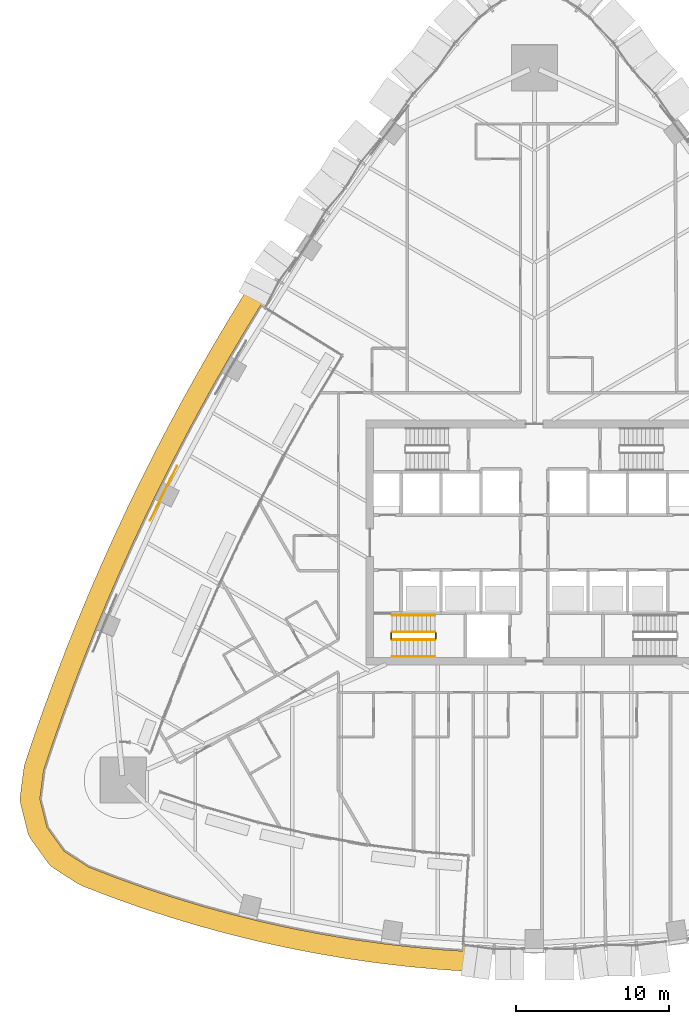
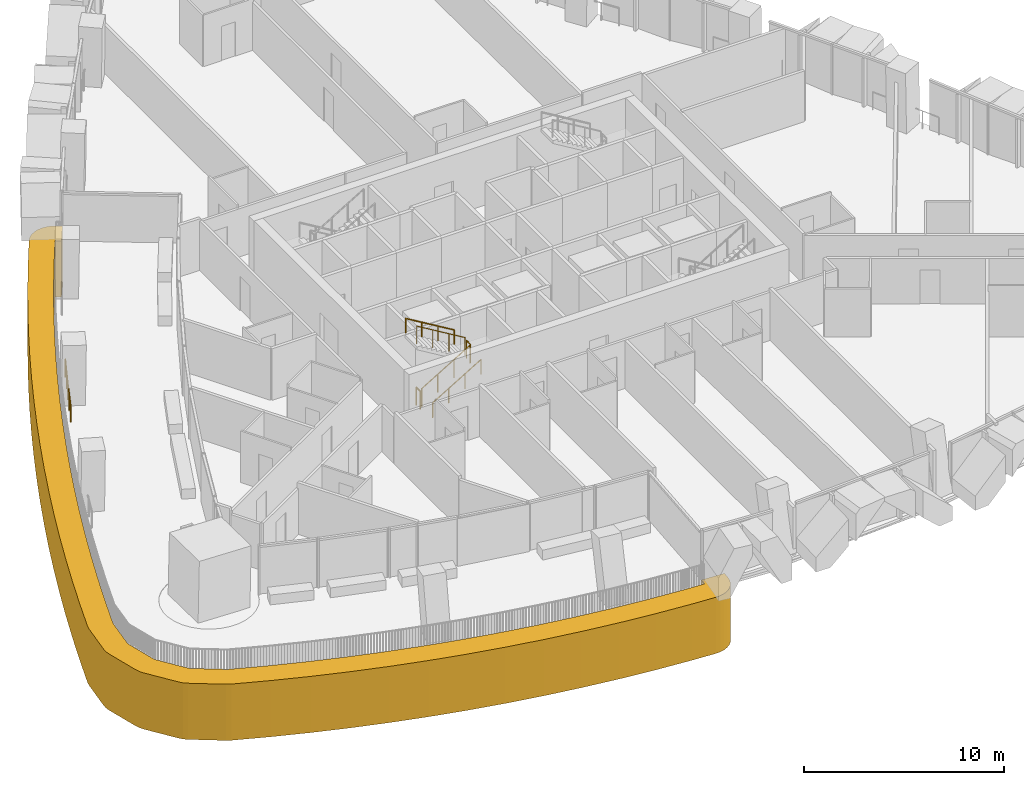
# One storey, part 20 of 24: 7 railings, 1 covering.
"""IFC4 building model written with IfcOpenShell, lengths in metres."""

from ifc_helpers import new_model, si_unit, direction, frame, origin, origin_2d, place, context, subcontext, project, spatial, polyline, circle, outline, extrude, material, layer, layer_set, type_object, element, save


model = new_model("IFC4")

# Units and contexts
model_context = context("Model", 3, precision=1e-05, world=origin(), true_north=direction((0.0, 1.0)))
body_context = subcontext(model_context, "Body", "Model", "MODEL_VIEW")
ifc_project = project(units=[si_unit("LENGTHUNIT", "METRE"), si_unit("AREAUNIT", "SQUARE_METRE"), si_unit("VOLUMEUNIT", "CUBIC_METRE"), si_unit("PLANEANGLEUNIT", "RADIAN"), si_unit("MASSUNIT", "GRAM", prefix="KILO")], contexts=[model_context])

# Site, building, storey
site_placement = place(None, origin())
site = spatial("IfcSite", under=ifc_project, at=site_placement, CompositionType="ELEMENT")
building_placement = place(site_placement, origin())
building = spatial("IfcBuilding", under=site, at=building_placement, Name="Sierra Prisma Convention Tower", CompositionType="ELEMENT")
storey_placement = place(building_placement, frame((0.0, 0.0, 59.10009765625)))
storey = spatial("IfcBuildingStorey", under=building, at=storey_placement, Name="L10", CompositionType="ELEMENT", Elevation=59.10009765625)

# Railings
ifc_material_1 = material(Name="Stainless steel", Category="steel")
railing_type_1 = type_object("IfcRailingType", Name="Exit stair handrail", PredefinedType="HANDRAIL", material=ifc_material_1)
railing_1_placement = place(storey_placement, frame((-9.300048828125, -7.449951171875, 0.16796875)))
element("IfcRailing", 1, at=railing_1_placement, inside=storey, type_object=railing_type_1, Name="L10 S1 stair handrail 1", PredefinedType="HANDRAIL", context=body_context, shape_type="SweptSolid", body=[
    extrude(circle(Radius=0.02392578125, at=origin_2d()), frame((0.0, 0.0, 0.8759765625), z_axis=(0.857242210791, 0.0, 0.514913383045), x_axis=(0.0, 1.0, 0.0)), (0.0, 0.0, 1.0), 3.266357421875),
    extrude(circle(Radius=0.02099609375, at=origin_2d()), origin(), (0.0, 0.0, 1.0), 0.851806640625),
    extrude(circle(Radius=0.02099609375, at=origin_2d()), frame((0.933349609375, 0.0, 0.560546875)), (0.0, 0.0, 1.0), 0.851806640625),
    extrude(circle(Radius=0.02099609375, at=origin_2d()), frame((1.86669921875, 0.0, 1.121337890625)), (0.0, 0.0, 1.0), 0.851806640625),
    extrude(circle(Radius=0.02099609375, at=origin_2d()), frame((2.800048828125, 0.0, 1.681884765625)), (0.0, 0.0, 1.0), 0.851806640625),
])
railing_2_placement = place(storey_placement, frame((-6.5, -4.75, 2.01806640625)))
element("IfcRailing", 2, at=railing_2_placement, inside=storey, type_object=railing_type_1, Name="L10 S1 stair handrail 2", PredefinedType="HANDRAIL", context=body_context, shape_type="SweptSolid", body=[
    extrude(circle(Radius=0.02392578125, at=origin_2d()), frame((0.0, 0.0, 0.8759765625), z_axis=(-0.857242210791, 0.0, 0.514913383045), x_axis=(0.0, -1.0, 0.0)), (0.0, 0.0, 1.0), 3.266357421875),
    extrude(circle(Radius=0.02099609375, at=origin_2d()), origin(), (0.0, 0.0, 1.0), 0.851806640625),
    extrude(circle(Radius=0.02099609375, at=origin_2d()), frame((-0.933349609375, 0.0, 0.560546875)), (0.0, 0.0, 1.0), 0.851806640625),
    extrude(circle(Radius=0.02099609375, at=origin_2d()), frame((-1.86669921875, 0.0, 1.121337890625)), (0.0, 0.0, 1.0), 0.851806640625),
    extrude(circle(Radius=0.02099609375, at=origin_2d()), frame((-2.800048828125, 0.0, 1.681884765625)), (0.0, 0.0, 1.0), 0.851806640625),
])
ifc_material_2 = material(Name="Bronze anodised aluminium", Category="aluminium")
railing_type_2 = type_object("IfcRailingType", Name="Facade guard 1100", PredefinedType="GUARDRAIL", material=ifc_material_2)
railing_3_placement = place(storey_placement, frame((-23.35009765625, 5.009521484375, 0.0)))
element("IfcRailing", 3, at=railing_3_placement, inside=storey, type_object=railing_type_2, Name="Facade guard", PredefinedType="GUARDRAIL", context=body_context, shape_type="SweptSolid", body=[
    extrude(circle(Radius=0.02392578125, at=origin_2d()), frame((0.0, 0.0, 1.076171875), z_axis=(-0.448586542605, -0.893739399262, 0.0), x_axis=(0.893739399262, -0.448586542605, 0.0)), (0.0, 0.0, 1.0), 0.995361328125),
    extrude(circle(Radius=0.02392578125, at=origin_2d()), frame((-0.446533203125, -0.8896484375, 1.076171875), z_axis=(-0.44780045775, -0.894133519134, 0.0), x_axis=(0.894133519134, -0.44780045775, 0.0)), (0.0, 0.0, 1.0), 0.998291015625),
    extrude(circle(Radius=0.02392578125, at=origin_2d()), frame((-0.8935546875, -1.7822265625, 1.076171875), z_axis=(-0.435708244697, -0.900087954315, 0.0), x_axis=(0.900087954315, -0.435708244697, 0.0)), (0.0, 0.0, 1.0), 0.996337890625),
    extrude(circle(Radius=0.02392578125, at=origin_2d()), frame((-1.32763671875, -2.678955078125, 1.076171875), z_axis=(-0.435522533746, -0.900177828321, 0.0), x_axis=(0.900177828321, -0.435522533746, 0.0)), (0.0, 0.0, 1.0), 0.997314453125),
    extrude(circle(Radius=0.02099609375, at=origin_2d()), origin(), (0.0, 0.0, 1.0), 1.052001953125),
    extrude(circle(Radius=0.02099609375, at=origin_2d()), frame((-0.446533203125, -0.8896484375, 0.0)), (0.0, 0.0, 1.0), 1.052001953125),
    extrude(circle(Radius=0.02099609375, at=origin_2d()), frame((-0.8935546875, -1.7822265625, 0.0)), (0.0, 0.0, 1.0), 1.052001953125),
    extrude(circle(Radius=0.02099609375, at=origin_2d()), frame((-1.32763671875, -2.678955078125, 0.0)), (0.0, 0.0, 1.0), 1.052001953125),
    extrude(circle(Radius=0.02099609375, at=origin_2d()), frame((-1.761962890625, -3.57666015625, 0.0)), (0.0, 0.0, 1.0), 1.052001953125),
])
ifc_material_3 = material(Name="Stainless steel", Category="steel")
railing_type_3 = type_object("IfcRailingType", Name="Stair guard 1100", PredefinedType="GUARDRAIL", material=ifc_material_3)
railing_4_placement = place(storey_placement, frame((-9.300048828125, -6.35009765625, 0.16796875)))
element("IfcRailing", 4, at=railing_4_placement, inside=storey, type_object=railing_type_3, Name="L10 S1 stair guard 1", PredefinedType="GUARDRAIL", context=body_context, shape_type="SweptSolid", body=[
    extrude(circle(Radius=0.02392578125, at=origin_2d()), frame((0.0, 0.0, 1.076171875), z_axis=(0.857242210791, 0.0, 0.514913383045), x_axis=(0.0, 1.0, 0.0)), (0.0, 0.0, 1.0), 3.266357421875),
    extrude(circle(Radius=0.02099609375, at=origin_2d()), origin(), (0.0, 0.0, 1.0), 1.052001953125),
    extrude(circle(Radius=0.02099609375, at=origin_2d()), frame((0.933349609375, 0.0, 0.560546875)), (0.0, 0.0, 1.0), 1.052001953125),
    extrude(circle(Radius=0.02099609375, at=origin_2d()), frame((1.86669921875, 0.0, 1.121337890625)), (0.0, 0.0, 1.0), 1.052001953125),
    extrude(circle(Radius=0.02099609375, at=origin_2d()), frame((2.800048828125, 0.0, 1.681884765625)), (0.0, 0.0, 1.0), 1.052001953125),
])
railing_5_placement = place(storey_placement, frame((-6.449951171875, -6.300048828125, 1.849853515625)))
element("IfcRailing", 5, at=railing_5_placement, inside=storey, type_object=railing_type_3, Name="L10 S1 stair guard 2", PredefinedType="GUARDRAIL", context=body_context, shape_type="SweptSolid", body=[
    extrude(circle(Radius=0.02392578125, at=origin_2d()), frame((0.0, 0.0, 1.076171875), z_axis=(0.0, 1.0, 0.0), x_axis=(-1.0, 0.0, 0.0)), (0.0, 0.0, 1.0), 0.400146484375),
    extrude(circle(Radius=0.02099609375, at=origin_2d()), origin(), (0.0, 0.0, 1.0), 1.052001953125),
    extrude(circle(Radius=0.02099609375, at=origin_2d()), frame((0.0, 0.400146484375, 0.0)), (0.0, 0.0, 1.0), 1.052001953125),
])
railing_6_placement = place(storey_placement, frame((-6.5, -5.85009765625, 2.01806640625)))
element("IfcRailing", 6, at=railing_6_placement, inside=storey, type_object=railing_type_3, Name="L10 S1 stair guard 3", PredefinedType="GUARDRAIL", context=body_context, shape_type="SweptSolid", body=[
    extrude(circle(Radius=0.02392578125, at=origin_2d()), frame((0.0, 0.0, 1.076171875), z_axis=(-0.857242210791, 0.0, 0.514913383045), x_axis=(0.0, -1.0, 0.0)), (0.0, 0.0, 1.0), 3.266357421875),
    extrude(circle(Radius=0.02099609375, at=origin_2d()), origin(), (0.0, 0.0, 1.0), 1.052001953125),
    extrude(circle(Radius=0.02099609375, at=origin_2d()), frame((-0.933349609375, 0.0, 0.560546875)), (0.0, 0.0, 1.0), 1.052001953125),
    extrude(circle(Radius=0.02099609375, at=origin_2d()), frame((-1.86669921875, 0.0, 1.121337890625)), (0.0, 0.0, 1.0), 1.052001953125),
    extrude(circle(Radius=0.02099609375, at=origin_2d()), frame((-2.800048828125, 0.0, 1.681884765625)), (0.0, 0.0, 1.0), 1.052001953125),
])
railing_7_placement = place(storey_placement, frame((-9.35009765625, -6.300048828125, 0.0)))
element("IfcRailing", 7, at=railing_7_placement, inside=storey, type_object=railing_type_3, Name="L10 S1 stair guard 4", PredefinedType="GUARDRAIL", context=body_context, shape_type="SweptSolid", body=[
    extrude(circle(Radius=0.02392578125, at=origin_2d()), frame((0.0, 0.0, 1.076171875), z_axis=(0.0, 1.0, 0.0), x_axis=(-1.0, 0.0, 0.0)), (0.0, 0.0, 1.0), 0.400146484375),
    extrude(circle(Radius=0.02099609375, at=origin_2d()), origin(), (0.0, 0.0, 1.0), 1.052001953125),
    extrude(circle(Radius=0.02099609375, at=origin_2d()), frame((0.0, 0.400146484375, 0.0)), (0.0, 0.0, 1.0), 1.052001953125),
])

# Covering
ifc_material_4 = material(Name="Aluminium composite bronze anodised", Category="aluminium")
ifc_layer = layer(ifc_material_4, 1.300048828125)
ifc_layer_set = layer_set([ifc_layer], Name="Terrace fascia")
covering_type = type_object("IfcCoveringType", Name="Terrace fascia", PredefinedType="CLADDING", material=ifc_layer_set)
covering_placement = place(storey_placement, frame((0.0, 0.0, -3.400146484375)))
element("IfcCovering", 8, at=covering_placement, inside=storey, type_object=covering_type, Name="Terrace fascia L10.1", PredefinedType="CLADDING", context=body_context, shape_type="SweptSolid", body=[
    extrude(outline(polyline([(-3.3837890625, -26.777099609375), (-3.424072265625, -27.029296875), (-3.512939453125, -27.268798828125), (-3.64697265625, -27.486083984375), (-3.82080078125, -27.673095703125), (-4.02783203125, -27.82275390625), (-4.26025390625, -27.9287109375), (-4.5087890625, -27.9873046875), (-4.76416015625, -27.99609375), (-6.04541015625, -27.91455078125), (-6.078369140625, -27.912109375), (-8.059814453125, -27.73486328125), (-8.0927734375, -27.731689453125), (-10.069091796875, -27.504150390625), (-10.101806640625, -27.5), (-12.07177734375, -27.22216796875), (-12.1044921875, -27.217041015625), (-14.066650390625, -26.889404296875), (-14.099365234375, -26.88330078125), (-16.052490234375, -26.505615234375), (-16.0849609375, -26.4990234375), (-18.02783203125, -26.07177734375), (-18.06005859375, -26.064208984375), (-19.99169921875, -25.587646484375), (-20.023681640625, -25.5791015625), (-21.9423828125, -25.0537109375), (-21.97412109375, -25.04443359375), (-23.87890625, -24.47021484375), (-23.910400390625, -24.460205078125), (-25.7998046875, -23.83740234375), (-25.8310546875, -23.82666015625), (-27.7041015625, -23.156005859375), (-27.735107421875, -23.14453125), (-29.59033203125, -22.426513671875), (-29.8232421875, -22.308349609375), (-31.435546875, -21.273681640625), (-31.628173828125, -21.123046875), (-31.7890625, -20.938720703125), (-32.90771484375, -19.383544921875), (-33.031005859375, -19.172607421875), (-33.11279296875, -18.94189453125), (-33.580810546875, -17.084228515625), (-33.617919921875, -16.842529296875), (-33.609130859375, -16.59814453125), (-33.36083984375, -14.698486328125), (-33.303466796875, -14.45166015625), (-32.6728515625, -12.58251953125), (-32.6669921875, -12.5654296875), (-32.010498046875, -10.705322265625), (-32.00439453125, -10.688232421875), (-31.322021484375, -8.83740234375), (-31.315673828125, -8.820556640625), (-30.607666015625, -6.9794921875), (-30.60107421875, -6.962646484375), (-29.867431640625, -5.13134765625), (-29.860595703125, -5.11474609375), (-29.101806640625, -3.2939453125), (-29.0947265625, -3.27734375), (-28.310546875, -1.46728515625), (-28.30322265625, -1.45068359375), (-27.493896484375, 0.34814453125), (-27.486572265625, 0.36474609375), (-26.65234375, 2.152099609375), (-26.64453125, 2.16845703125), (-25.78564453125, 3.9443359375), (-25.777587890625, 3.96044921875), (-24.894287109375, 5.72412109375), (-24.885986328125, 5.740234375), (-23.97802734375, 7.491455078125), (-23.9697265625, 7.507568359375), (-23.03759765625, 9.24609375), (-23.02880859375, 9.26171875), (-22.072509765625, 10.9873046875), (-22.063720703125, 11.0029296875), (-21.08349609375, 12.71484375), (-21.074462890625, 12.73046875), (-20.07080078125, 14.428466796875), (-20.061279296875, 14.444091796875), (-19.0341796875, 16.1279296875), (-19.024658203125, 16.143310546875), (-18.979736328125, 16.214599609375), (-18.824462890625, 16.414794921875), (-18.633056640625, 16.581298828125), (-18.4130859375, 16.70751953125), (-18.1728515625, 16.78857421875), (-17.92138671875, 16.8212890625), (-17.668212890625, 16.8046875), (-17.423095703125, 16.739501953125), (-17.195556640625, 16.627685546875), (-16.906982421875, 16.44921875), (-17.599609375, 15.348876953125), (-17.87939453125, 15.522216796875), (-17.92431640625, 15.450927734375), (-18.95166015625, 13.766845703125), (-19.95556640625, 12.06884765625), (-20.935546875, 10.35693359375), (-21.891845703125, 8.631591796875), (-22.823974609375, 6.893310546875), (-23.73193359375, 5.14208984375), (-24.615478515625, 3.37841796875), (-25.474365234375, 1.6025390625), (-26.308349609375, -0.18505859375), (-27.11767578125, -1.98388671875), (-27.90185546875, -3.794189453125), (-28.66064453125, -5.614990234375), (-29.394287109375, -7.446044921875), (-30.102294921875, -9.287109375), (-30.78466796875, -11.137939453125), (-31.441162109375, -12.998046875), (-32.07177734375, -14.8671875), (-32.3203125, -16.7666015625), (-31.852294921875, -18.62451171875), (-30.733642578125, -20.1796875), (-29.12109375, -21.214111328125), (-27.265869140625, -21.93212890625), (-25.392822265625, -22.602783203125), (-23.50341796875, -23.225341796875), (-21.598876953125, -23.7998046875), (-19.68017578125, -24.325439453125), (-17.748779296875, -24.802001953125), (-15.8056640625, -25.2294921875), (-13.8525390625, -25.607177734375), (-11.890380859375, -25.934814453125), (-9.92041015625, -26.212646484375), (-7.944091796875, -26.440185546875), (-5.96240234375, -26.6171875), (-4.681396484375, -26.698974609375), (-4.658203125, -26.3154296875), (-3.36083984375, -26.398193359375), (-3.3837890625, -26.777099609375)])), origin(), (0.0, 0.0, 1.0), 3.43994140625),
])

save(model, "model.ifc")
